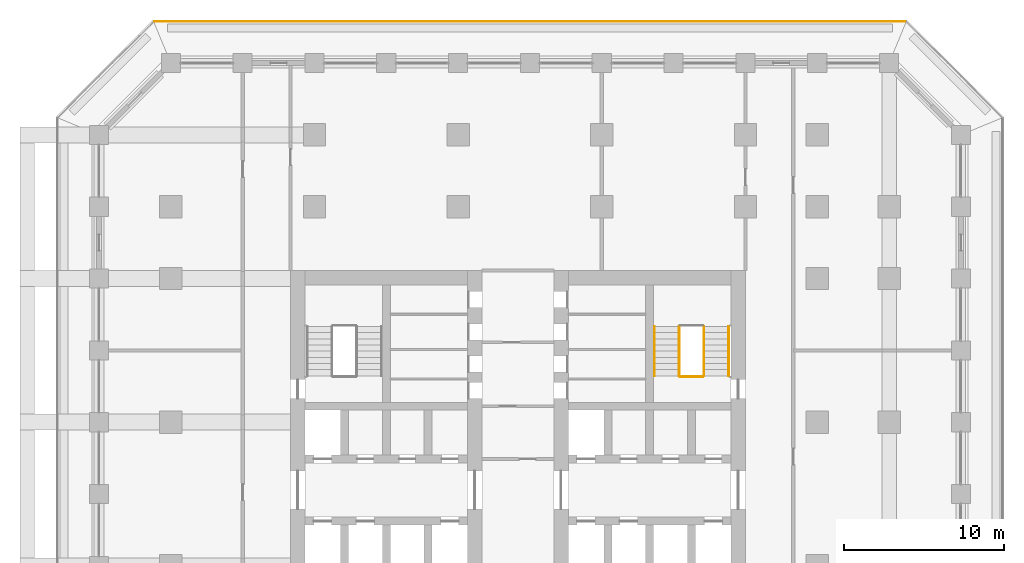
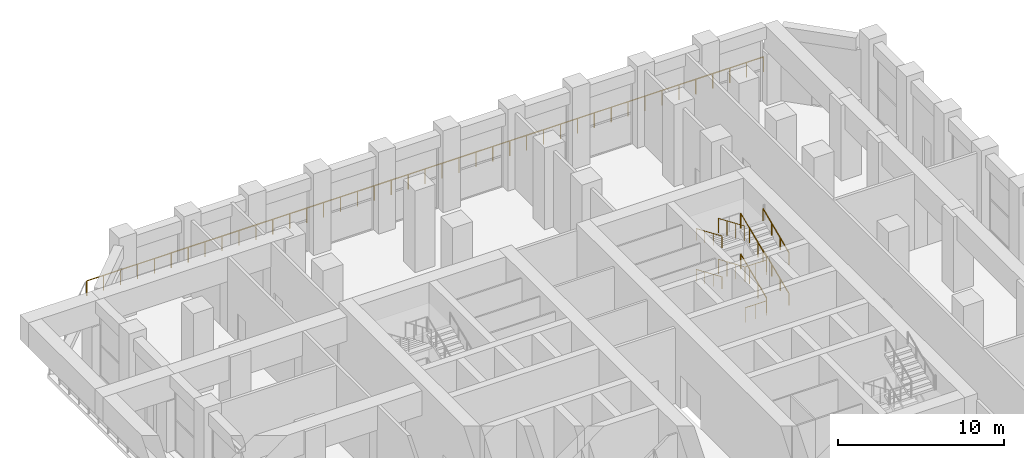
# One storey, part 22 of 24: 11 railings.
"""IFC4 building model written with IfcOpenShell, lengths in metres."""

import ifcopenshell
import ifcopenshell.guid

model = None  # the IFC model being written
_history = None  # IfcOwnerHistory: only IFC2X3 demands one
_inside = {}  # id of a spatial element -> (the spatial element, [elements in it])
_under = {}  # id of a project, library or spatial element -> (it, [spatial elements below it])
_declared = {}  # id of a project -> (the project, [libraries it declares])
_typed = {}  # id of a type object -> (the type object, [elements of that type])
_made_of = {}  # id of a material, layer set ... -> (it, [elements and type objects made of it])


def new_model(schema):
    """Start an empty IFC model of exactly this schema.

    Asked for "IFC4X3", IfcOpenShell would pick the latest addendum, in which some entities
    have other attributes; the version numbers below select the first issue.
    IFC2X3 requires an IfcOwnerHistory on every rooted entity: one is made here for all.
    """
    global model, _history
    if schema == "IFC4X3":
        model = ifcopenshell.file(schema_version=(4, 3, 0, 0))
    else:
        model = ifcopenshell.file(schema=schema)
    _inside.clear()
    _under.clear()
    _declared.clear()
    _typed.clear()
    _made_of.clear()
    _history = None
    if model.schema == "IFC2X3":
        org = make("IfcOrganization", Name="unknown")
        user = make(
            "IfcPersonAndOrganization",
            ThePerson=make("IfcPerson", FamilyName="unknown"),
            TheOrganization=org,
        )
        app = make(
            "IfcApplication",
            ApplicationDeveloper=org,
            Version="unknown",
            ApplicationFullName="unknown",
            ApplicationIdentifier="unknown",
        )
        _history = make(
            "IfcOwnerHistory",
            OwningUser=user,
            OwningApplication=app,
            ChangeAction="ADDED",
            CreationDate=0,
        )
    return model


def make(cls, **values):
    """One entity of the class cls with the attributes given. An attribute that is None is left unset."""
    return model.create_entity(
        cls, **{name: value for name, value in values.items() if value is not None}
    )


def rooted(cls, **values):
    """An entity with a GlobalId (a new one), such as an element, a storey or a relation."""
    return make(cls, GlobalId=ifcopenshell.guid.new(), OwnerHistory=_history, **values)


def si_unit(unit_type, name, prefix=None):
    """IfcSIUnit, for example si_unit("LENGTHUNIT", "METRE", prefix="MILLI")."""
    return make("IfcSIUnit", UnitType=unit_type, Prefix=prefix, Name=name)


def assignment(units):
    """IfcUnitAssignment: the units of a project."""
    return None if units is None else make("IfcUnitAssignment", Units=units)


def point(xyz):
    """IfcCartesianPoint."""
    return None if xyz is None else make("IfcCartesianPoint", Coordinates=xyz)


def direction(xyz):
    """IfcDirection."""
    return None if xyz is None else make("IfcDirection", DirectionRatios=xyz)


def frame(location, z_axis=None, x_axis=None):
    """IfcAxis2Placement3D, a coordinate frame: its origin and axes. An axis left out is left unset."""
    return make(
        "IfcAxis2Placement3D",
        Location=point(location),
        Axis=direction(z_axis),
        RefDirection=direction(x_axis),
    )


def frame_2d(location, x_axis=None):
    """IfcAxis2Placement2D, a coordinate frame in the plane: its origin and x axis."""
    return make(
        "IfcAxis2Placement2D", Location=point(location), RefDirection=direction(x_axis)
    )


def origin():
    """The frame at (0, 0, 0) with its axes left unset."""
    return frame((0.0, 0.0, 0.0))


def origin_2d():
    """The frame at (0, 0) in the plane with its x axis left unset."""
    return frame_2d((0.0, 0.0))


def place(relative_to, where):
    """IfcLocalPlacement: puts the frame where relative to a parent placement (None: the world)."""
    return make(
        "IfcLocalPlacement", PlacementRelTo=relative_to, RelativePlacement=where
    )


def context(
    kind, dimensions, precision=None, world=None, true_north=None, identifier=None
):
    """IfcGeometricRepresentationContext, for example the 3D "Model" context."""
    return make(
        "IfcGeometricRepresentationContext",
        ContextIdentifier=identifier,
        ContextType=kind,
        CoordinateSpaceDimension=dimensions,
        Precision=precision,
        WorldCoordinateSystem=world,
        TrueNorth=true_north,
    )


def subcontext(parent, identifier, kind, view, scale=None):
    """IfcGeometricRepresentationSubContext, for example "Body" below "Model"."""
    return make(
        "IfcGeometricRepresentationSubContext",
        ContextIdentifier=identifier,
        ContextType=kind,
        ParentContext=parent,
        TargetScale=scale,
        TargetView=view,
    )


def project(units=None, contexts=None):
    """IfcProject with its units and contexts."""
    return rooted(
        "IfcProject",
        Name="project",
        RepresentationContexts=contexts,
        UnitsInContext=assignment(units),
    )


def spatial(cls, under=None, at=None, **own):
    """A site, building, storey or space (cls), placed at a placement, below another one or the project."""
    s = rooted(cls, ObjectPlacement=at, **own)
    if under is not None:
        _under.setdefault(under.id(), (under, []))[1].append(s)
    return s


def profile(cls, at=None, kind="AREA", **sizes):
    """A parametric profile (cls). Its sizes go by their IFC names, for example OverallWidth=200.0."""
    return make(cls, ProfileType=kind, Position=at, **sizes)


def circle(**sizes):
    """IfcCircleProfileDef."""
    return profile("IfcCircleProfileDef", **sizes)


def extrude(swept, where, along, depth):
    """IfcExtrudedAreaSolid: the profile swept, set in the frame where, extruded along a direction by depth."""
    return make(
        "IfcExtrudedAreaSolid",
        SweptArea=swept,
        Position=where,
        ExtrudedDirection=direction(along),
        Depth=depth,
    )


def shape(context_of_items, identifier, shape_type, items):
    """IfcShapeRepresentation: the items that make up one representation, for example the "Body"."""
    return make(
        "IfcShapeRepresentation",
        ContextOfItems=context_of_items,
        RepresentationIdentifier=identifier,
        RepresentationType=shape_type,
        Items=items,
    )


def material(Name=None, Category=None):
    """IfcMaterial."""
    return make("IfcMaterial", Name=Name, Category=Category)


def made_of(thing, what):
    """Note that an element or type object is made of a material, layer set ...; save() writes the relation."""
    if what is not None:
        _made_of.setdefault(what.id(), (what, []))[1].append(thing)
    return thing


def type_object(cls, material=None, **own):
    """A type object (cls), such as IfcWallType, which elements share."""
    return made_of(rooted(cls, **own), material)


def element(
    cls,
    number,
    at=None,
    inside=None,
    cuts=None,
    type_object=None,
    material=None,
    context=None,
    identifier="Body",
    shape_type=None,
    held_by="IfcProductDefinitionShape",
    body=None,
    shapes=None,
    **own,
):
    """One element of the class cls, such as IfcWall. Its Tag is "e" and its number.

    at: its placement. inside: the storey or other place that contains it. cuts: it is an
    opening in that element (IfcRelVoidsElement). A single representation is given by context,
    identifier, shape_type and body (its items); several are given by shapes. held_by: the class
    of the entity that holds the representations. save() writes the other relations.
    """
    e = rooted(cls, Tag="e%d" % number, ObjectPlacement=at, **own)
    if body is not None:
        shapes = [shape(context, identifier, shape_type, body)]
    if shapes is not None:
        e.Representation = make(held_by, Representations=shapes)
    if inside is not None:
        _inside.setdefault(inside.id(), (inside, []))[1].append(e)
    if cuts is not None:
        rooted(
            "IfcRelVoidsElement", RelatingBuildingElement=cuts, RelatedOpeningElement=e
        )
    if type_object is not None:
        _typed.setdefault(type_object.id(), (type_object, []))[1].append(e)
    return made_of(e, material)


def aggregate(whole, parts):
    """IfcRelAggregates: a whole, such as a stair, and the parts it consists of."""
    return rooted("IfcRelAggregates", RelatingObject=whole, RelatedObjects=parts)


def save(model, path):
    """Write the relations noted so far, then the file.

    IfcRelAggregates (storeys below a building ...), IfcRelContainedInSpatialStructure (elements
    in a storey), IfcRelDefinesByType, IfcRelAssociatesMaterial and IfcRelDeclares: one each for
    every whole, place, type object, material and project.
    """
    for whole, parts in _under.values():
        aggregate(whole, parts)
    for where, things in _inside.values():
        rooted(
            "IfcRelContainedInSpatialStructure",
            RelatedElements=things,
            RelatingStructure=where,
        )
    for kind, things in _typed.values():
        rooted("IfcRelDefinesByType", RelatedObjects=things, RelatingType=kind)
    for what, things in _made_of.values():
        rooted("IfcRelAssociatesMaterial", RelatedObjects=things, RelatingMaterial=what)
    for by, libraries in _declared.values():
        rooted("IfcRelDeclares", RelatingContext=by, RelatedDefinitions=libraries)
    model.write(path)


model = new_model("IFC4")

# Units and contexts
model_context = context("Model", 3, precision=1e-05, world=origin(), true_north=direction((0.0, 1.0)))
body_context = subcontext(model_context, "Body", "Model", "MODEL_VIEW")
ifc_project = project(units=[si_unit("LENGTHUNIT", "METRE"), si_unit("AREAUNIT", "SQUARE_METRE"), si_unit("VOLUMEUNIT", "CUBIC_METRE"), si_unit("PLANEANGLEUNIT", "RADIAN"), si_unit("MASSUNIT", "GRAM", prefix="KILO")], contexts=[model_context])

# Site, building, storey
site_placement = place(None, origin())
site = spatial("IfcSite", under=ifc_project, at=site_placement, CompositionType="ELEMENT")
building_placement = place(site_placement, origin())
building = spatial("IfcBuilding", under=site, at=building_placement, Name="Corbel Stack Research Tower", CompositionType="ELEMENT")
storey_placement = place(building_placement, frame((0.0, 0.0, 110.699951171875)))
storey = spatial("IfcBuildingStorey", under=building, at=storey_placement, Name="L25", CompositionType="ELEMENT", Elevation=110.699951171875)

# Railings
ifc_material_1 = material(Name="Steel S355", Category="steel")
railing_type_1 = type_object("IfcRailingType", Name="Stair guard 1100", PredefinedType="GUARDRAIL", material=ifc_material_1)
railing_1_placement = place(storey_placement, frame((15.39990234375, 11.89990234375, 0.166748046875)))
element("IfcRailing", 1, at=railing_1_placement, inside=storey, type_object=railing_type_1, Name="L25 ST-E2 stair guard 1", PredefinedType="GUARDRAIL", context=body_context, shape_type="SweptSolid", body=[
    extrude(circle(Radius=0.02392578125, at=origin_2d()), frame((0.0, 0.0, 1.076171875), z_axis=(0.0, 0.918826996994, 0.394660549834), x_axis=(-1.0, 0.0, 0.0)), (0.0, 0.0, 1.0), 3.378173828125),
    extrude(circle(Radius=0.02099609375, at=origin_2d()), origin(), (0.0, 0.0, 1.0), 1.052001953125),
    extrude(circle(Radius=0.02099609375, at=origin_2d()), frame((0.0, 1.03466796875, 0.4443359375)), (0.0, 0.0, 1.0), 1.052001953125),
    extrude(circle(Radius=0.02099609375, at=origin_2d()), frame((0.0, 2.0693359375, 0.888916015625)), (0.0, 0.0, 1.0), 1.052001953125),
    extrude(circle(Radius=0.02099609375, at=origin_2d()), frame((0.0, 3.10400390625, 1.333251953125)), (0.0, 0.0, 1.0), 1.052001953125),
])
railing_2_placement = place(storey_placement, frame((13.85009765625, 15.00390625, 1.666748046875)))
element("IfcRailing", 2, at=railing_2_placement, inside=storey, type_object=railing_type_1, Name="L25 ST-E2 stair guard 4", PredefinedType="GUARDRAIL", context=body_context, shape_type="SweptSolid", body=[
    extrude(circle(Radius=0.02392578125, at=origin_2d()), frame((0.0, 0.0, 1.076171875), z_axis=(0.0, -0.918826996994, 0.394660549834), x_axis=(1.0, 0.0, 0.0)), (0.0, 0.0, 1.0), 3.378173828125),
    extrude(circle(Radius=0.02099609375, at=origin_2d()), origin(), (0.0, 0.0, 1.0), 1.052001953125),
    extrude(circle(Radius=0.02099609375, at=origin_2d()), frame((0.0, -1.03466796875, 0.4443359375)), (0.0, 0.0, 1.0), 1.052001953125),
    extrude(circle(Radius=0.02099609375, at=origin_2d()), frame((0.0, -2.0693359375, 0.888916015625)), (0.0, 0.0, 1.0), 1.052001953125),
    extrude(circle(Radius=0.02099609375, at=origin_2d()), frame((0.0, -3.10400390625, 1.333251953125)), (0.0, 0.0, 1.0), 1.052001953125),
])
railing_3_placement = place(storey_placement, frame((15.35009765625, 11.85009765625, 3.0)))
element("IfcRailing", 3, at=railing_3_placement, inside=storey, type_object=railing_type_1, Name="L25 ST-E2 stair guard 5", PredefinedType="GUARDRAIL", context=body_context, shape_type="SweptSolid", body=[
    extrude(circle(Radius=0.02392578125, at=origin_2d()), frame((0.0, 0.0, 1.076171875), z_axis=(-1.0, 0.0, 0.0), x_axis=(0.0, -1.0, 0.0)), (0.0, 0.0, 1.0), 1.4501953125),
    extrude(circle(Radius=0.02099609375, at=origin_2d()), origin(), (0.0, 0.0, 1.0), 1.052001953125),
    extrude(circle(Radius=0.02099609375, at=origin_2d()), frame((-0.72509765625, 0.0, 0.0)), (0.0, 0.0, 1.0), 1.052001953125),
    extrude(circle(Radius=0.02099609375, at=origin_2d()), frame((-1.4501953125, 0.0, 0.0)), (0.0, 0.0, 1.0), 1.052001953125),
])
railing_4_placement = place(storey_placement, frame((15.39990234375, 11.89990234375, 3.166748046875)))
element("IfcRailing", 4, at=railing_4_placement, inside=storey, type_object=railing_type_1, Name="L25 ST-E2 stair guard 7", PredefinedType="GUARDRAIL", context=body_context, shape_type="SweptSolid", body=[
    extrude(circle(Radius=0.02392578125, at=origin_2d()), frame((0.0, 0.0, 1.076171875), z_axis=(0.0, 0.918826996994, 0.394660549834), x_axis=(-1.0, 0.0, 0.0)), (0.0, 0.0, 1.0), 3.378173828125),
    extrude(circle(Radius=0.02099609375, at=origin_2d()), origin(), (0.0, 0.0, 1.0), 1.052001953125),
    extrude(circle(Radius=0.02099609375, at=origin_2d()), frame((0.0, 1.03466796875, 0.4443359375)), (0.0, 0.0, 1.0), 1.052001953125),
    extrude(circle(Radius=0.02099609375, at=origin_2d()), frame((0.0, 2.0693359375, 0.888916015625)), (0.0, 0.0, 1.0), 1.052001953125),
    extrude(circle(Radius=0.02099609375, at=origin_2d()), frame((0.0, 3.10400390625, 1.333251953125)), (0.0, 0.0, 1.0), 1.052001953125),
])
railing_5_placement = place(storey_placement, frame((13.85009765625, 15.00390625, 4.666748046875)))
element("IfcRailing", 5, at=railing_5_placement, inside=storey, type_object=railing_type_1, Name="L25 ST-E2 stair guard 10", PredefinedType="GUARDRAIL", context=body_context, shape_type="SweptSolid", body=[
    extrude(circle(Radius=0.02392578125, at=origin_2d()), frame((0.0, 0.0, 1.076171875), z_axis=(0.0, -0.918826996994, 0.394660549834), x_axis=(1.0, 0.0, 0.0)), (0.0, 0.0, 1.0), 3.378173828125),
    extrude(circle(Radius=0.02099609375, at=origin_2d()), origin(), (0.0, 0.0, 1.0), 1.052001953125),
    extrude(circle(Radius=0.02099609375, at=origin_2d()), frame((0.0, -1.03466796875, 0.4443359375)), (0.0, 0.0, 1.0), 1.052001953125),
    extrude(circle(Radius=0.02099609375, at=origin_2d()), frame((0.0, -2.0693359375, 0.888916015625)), (0.0, 0.0, 1.0), 1.052001953125),
    extrude(circle(Radius=0.02099609375, at=origin_2d()), frame((0.0, -3.10400390625, 1.333251953125)), (0.0, 0.0, 1.0), 1.052001953125),
])
railing_6_placement = place(storey_placement, frame((15.35009765625, 11.85009765625, 0.0)))
element("IfcRailing", 6, at=railing_6_placement, inside=storey, type_object=railing_type_1, Name="L25 ST-E2 stair guard 11", PredefinedType="GUARDRAIL", context=body_context, shape_type="SweptSolid", body=[
    extrude(circle(Radius=0.02392578125, at=origin_2d()), frame((0.0, 0.0, 1.076171875), z_axis=(-1.0, 0.0, 0.0), x_axis=(0.0, -1.0, 0.0)), (0.0, 0.0, 1.0), 1.4501953125),
    extrude(circle(Radius=0.02099609375, at=origin_2d()), origin(), (0.0, 0.0, 1.0), 1.052001953125),
    extrude(circle(Radius=0.02099609375, at=origin_2d()), frame((-0.72509765625, 0.0, 0.0)), (0.0, 0.0, 1.0), 1.052001953125),
    extrude(circle(Radius=0.02099609375, at=origin_2d()), frame((-1.4501953125, 0.0, 0.0)), (0.0, 0.0, 1.0), 1.052001953125),
])
ifc_material_2 = material(Name="Steel S355", Category="steel")
railing_type_2 = type_object("IfcRailingType", Name="Stair handrail 900", PredefinedType="HANDRAIL", material=ifc_material_2)
railing_7_placement = place(storey_placement, frame((16.949951171875, 11.89990234375, 0.166748046875)))
element("IfcRailing", 7, at=railing_7_placement, inside=storey, type_object=railing_type_2, Name="L25 ST-E2 stair handrail 1", PredefinedType="HANDRAIL", context=body_context, shape_type="SweptSolid", body=[
    extrude(circle(Radius=0.02392578125, at=origin_2d()), frame((0.0, 0.0, 0.8759765625), z_axis=(0.0, 0.918826996994, 0.394660549834), x_axis=(-1.0, 0.0, 0.0)), (0.0, 0.0, 1.0), 3.378173828125),
    extrude(circle(Radius=0.02099609375, at=origin_2d()), origin(), (0.0, 0.0, 1.0), 0.851806640625),
    extrude(circle(Radius=0.02099609375, at=origin_2d()), frame((0.0, 1.03466796875, 0.4443359375)), (0.0, 0.0, 1.0), 0.851806640625),
    extrude(circle(Radius=0.02099609375, at=origin_2d()), frame((0.0, 2.0693359375, 0.888916015625)), (0.0, 0.0, 1.0), 0.851806640625),
    extrude(circle(Radius=0.02099609375, at=origin_2d()), frame((0.0, 3.10400390625, 1.333251953125)), (0.0, 0.0, 1.0), 0.851806640625),
])
railing_8_placement = place(storey_placement, frame((12.300048828125, 15.00390625, 1.666748046875)))
element("IfcRailing", 8, at=railing_8_placement, inside=storey, type_object=railing_type_2, Name="L25 ST-E2 stair handrail 2", PredefinedType="HANDRAIL", context=body_context, shape_type="SweptSolid", body=[
    extrude(circle(Radius=0.02392578125, at=origin_2d()), frame((0.0, 0.0, 0.8759765625), z_axis=(0.0, -0.918826996994, 0.394660549834), x_axis=(1.0, 0.0, 0.0)), (0.0, 0.0, 1.0), 3.378173828125),
    extrude(circle(Radius=0.02099609375, at=origin_2d()), origin(), (0.0, 0.0, 1.0), 0.851806640625),
    extrude(circle(Radius=0.02099609375, at=origin_2d()), frame((0.0, -1.03466796875, 0.4443359375)), (0.0, 0.0, 1.0), 0.851806640625),
    extrude(circle(Radius=0.02099609375, at=origin_2d()), frame((0.0, -2.0693359375, 0.888916015625)), (0.0, 0.0, 1.0), 0.851806640625),
    extrude(circle(Radius=0.02099609375, at=origin_2d()), frame((0.0, -3.10400390625, 1.333251953125)), (0.0, 0.0, 1.0), 0.851806640625),
])
railing_9_placement = place(storey_placement, frame((16.949951171875, 11.89990234375, 3.166748046875)))
element("IfcRailing", 9, at=railing_9_placement, inside=storey, type_object=railing_type_2, Name="L25 ST-E2 stair handrail 3", PredefinedType="HANDRAIL", context=body_context, shape_type="SweptSolid", body=[
    extrude(circle(Radius=0.02392578125, at=origin_2d()), frame((0.0, 0.0, 0.8759765625), z_axis=(0.0, 0.918826996994, 0.394660549834), x_axis=(-1.0, 0.0, 0.0)), (0.0, 0.0, 1.0), 3.378173828125),
    extrude(circle(Radius=0.02099609375, at=origin_2d()), origin(), (0.0, 0.0, 1.0), 0.851806640625),
    extrude(circle(Radius=0.02099609375, at=origin_2d()), frame((0.0, 1.03466796875, 0.4443359375)), (0.0, 0.0, 1.0), 0.851806640625),
    extrude(circle(Radius=0.02099609375, at=origin_2d()), frame((0.0, 2.0693359375, 0.888916015625)), (0.0, 0.0, 1.0), 0.851806640625),
    extrude(circle(Radius=0.02099609375, at=origin_2d()), frame((0.0, 3.10400390625, 1.333251953125)), (0.0, 0.0, 1.0), 0.851806640625),
])
railing_10_placement = place(storey_placement, frame((12.300048828125, 15.00390625, 4.666748046875)))
element("IfcRailing", 10, at=railing_10_placement, inside=storey, type_object=railing_type_2, Name="L25 ST-E2 stair handrail 4", PredefinedType="HANDRAIL", context=body_context, shape_type="SweptSolid", body=[
    extrude(circle(Radius=0.02392578125, at=origin_2d()), frame((0.0, 0.0, 0.8759765625), z_axis=(0.0, -0.918826996994, 0.394660549834), x_axis=(1.0, 0.0, 0.0)), (0.0, 0.0, 1.0), 3.378173828125),
    extrude(circle(Radius=0.02099609375, at=origin_2d()), origin(), (0.0, 0.0, 1.0), 0.851806640625),
    extrude(circle(Radius=0.02099609375, at=origin_2d()), frame((0.0, -1.03466796875, 0.4443359375)), (0.0, 0.0, 1.0), 0.851806640625),
    extrude(circle(Radius=0.02099609375, at=origin_2d()), frame((0.0, -2.0693359375, 0.888916015625)), (0.0, 0.0, 1.0), 0.851806640625),
    extrude(circle(Radius=0.02099609375, at=origin_2d()), frame((0.0, -3.10400390625, 1.333251953125)), (0.0, 0.0, 1.0), 0.851806640625),
])
ifc_material_3 = material(Name="Powder-coated steel guard", Category="steel")
railing_type_3 = type_object("IfcRailingType", Name="Steel and glass guard 1100", PredefinedType="GUARDRAIL", material=ifc_material_3)
railing_11_placement = place(storey_placement, frame((28.00537109375, 34.10009765625, 0.0)))
element("IfcRailing", 11, at=railing_11_placement, inside=storey, type_object=railing_type_3, Name="Loggia guard L25 N", PredefinedType="GUARDRAIL", context=body_context, shape_type="SweptSolid", body=[
    extrude(circle(Radius=0.02392578125, at=origin_2d()), frame((0.0, 0.0, 1.076171875), z_axis=(-1.0, 0.0, 0.0), x_axis=(0.0, -1.0, 0.0)), (0.0, 0.0, 1.0), 47.0107421875),
    extrude(circle(Radius=0.02099609375, at=origin_2d()), origin(), (0.0, 0.0, 1.0), 1.052001953125),
    extrude(circle(Radius=0.02099609375, at=origin_2d()), frame((-1.17529296875, 0.0, 0.0)), (0.0, 0.0, 1.0), 1.052001953125),
    extrude(circle(Radius=0.02099609375, at=origin_2d()), frame((-2.3505859375, 0.0, 0.0)), (0.0, 0.0, 1.0), 1.052001953125),
    extrude(circle(Radius=0.02099609375, at=origin_2d()), frame((-3.52587890625, 0.0, 0.0)), (0.0, 0.0, 1.0), 1.052001953125),
    extrude(circle(Radius=0.02099609375, at=origin_2d()), frame((-4.701171875, 0.0, 0.0)), (0.0, 0.0, 1.0), 1.052001953125),
    extrude(circle(Radius=0.02099609375, at=origin_2d()), frame((-5.87646484375, 0.0, 0.0)), (0.0, 0.0, 1.0), 1.052001953125),
    extrude(circle(Radius=0.02099609375, at=origin_2d()), frame((-7.051513671875, 0.0, 0.0)), (0.0, 0.0, 1.0), 1.052001953125),
    extrude(circle(Radius=0.02099609375, at=origin_2d()), frame((-8.226806640625, 0.0, 0.0)), (0.0, 0.0, 1.0), 1.052001953125),
    extrude(circle(Radius=0.02099609375, at=origin_2d()), frame((-9.402099609375, 0.0, 0.0)), (0.0, 0.0, 1.0), 1.052001953125),
    extrude(circle(Radius=0.02099609375, at=origin_2d()), frame((-10.577392578125, 0.0, 0.0)), (0.0, 0.0, 1.0), 1.052001953125),
    extrude(circle(Radius=0.02099609375, at=origin_2d()), frame((-11.752685546875, 0.0, 0.0)), (0.0, 0.0, 1.0), 1.052001953125),
    extrude(circle(Radius=0.02099609375, at=origin_2d()), frame((-12.927978515625, 0.0, 0.0)), (0.0, 0.0, 1.0), 1.052001953125),
    extrude(circle(Radius=0.02099609375, at=origin_2d()), frame((-14.103271484375, 0.0, 0.0)), (0.0, 0.0, 1.0), 1.052001953125),
    extrude(circle(Radius=0.02099609375, at=origin_2d()), frame((-15.278564453125, 0.0, 0.0)), (0.0, 0.0, 1.0), 1.052001953125),
    extrude(circle(Radius=0.02099609375, at=origin_2d()), frame((-16.453857421875, 0.0, 0.0)), (0.0, 0.0, 1.0), 1.052001953125),
    extrude(circle(Radius=0.02099609375, at=origin_2d()), frame((-17.62890625, 0.0, 0.0)), (0.0, 0.0, 1.0), 1.052001953125),
    extrude(circle(Radius=0.02099609375, at=origin_2d()), frame((-18.80419921875, 0.0, 0.0)), (0.0, 0.0, 1.0), 1.052001953125),
    extrude(circle(Radius=0.02099609375, at=origin_2d()), frame((-19.9794921875, 0.0, 0.0)), (0.0, 0.0, 1.0), 1.052001953125),
    extrude(circle(Radius=0.02099609375, at=origin_2d()), frame((-21.15478515625, 0.0, 0.0)), (0.0, 0.0, 1.0), 1.052001953125),
    extrude(circle(Radius=0.02099609375, at=origin_2d()), frame((-22.330078125, 0.0, 0.0)), (0.0, 0.0, 1.0), 1.052001953125),
    extrude(circle(Radius=0.02099609375, at=origin_2d()), frame((-23.50537109375, 0.0, 0.0)), (0.0, 0.0, 1.0), 1.052001953125),
    extrude(circle(Radius=0.02099609375, at=origin_2d()), frame((-24.6806640625, 0.0, 0.0)), (0.0, 0.0, 1.0), 1.052001953125),
    extrude(circle(Radius=0.02099609375, at=origin_2d()), frame((-25.85595703125, 0.0, 0.0)), (0.0, 0.0, 1.0), 1.052001953125),
    extrude(circle(Radius=0.02099609375, at=origin_2d()), frame((-27.03125, 0.0, 0.0)), (0.0, 0.0, 1.0), 1.052001953125),
    extrude(circle(Radius=0.02099609375, at=origin_2d()), frame((-28.20654296875, 0.0, 0.0)), (0.0, 0.0, 1.0), 1.052001953125),
    extrude(circle(Radius=0.02099609375, at=origin_2d()), frame((-29.3818359375, 0.0, 0.0)), (0.0, 0.0, 1.0), 1.052001953125),
    extrude(circle(Radius=0.02099609375, at=origin_2d()), frame((-30.556884765625, 0.0, 0.0)), (0.0, 0.0, 1.0), 1.052001953125),
    extrude(circle(Radius=0.02099609375, at=origin_2d()), frame((-31.732177734375, 0.0, 0.0)), (0.0, 0.0, 1.0), 1.052001953125),
    extrude(circle(Radius=0.02099609375, at=origin_2d()), frame((-32.907470703125, 0.0, 0.0)), (0.0, 0.0, 1.0), 1.052001953125),
    extrude(circle(Radius=0.02099609375, at=origin_2d()), frame((-34.082763671875, 0.0, 0.0)), (0.0, 0.0, 1.0), 1.052001953125),
    extrude(circle(Radius=0.02099609375, at=origin_2d()), frame((-35.258056640625, 0.0, 0.0)), (0.0, 0.0, 1.0), 1.052001953125),
    extrude(circle(Radius=0.02099609375, at=origin_2d()), frame((-36.433349609375, 0.0, 0.0)), (0.0, 0.0, 1.0), 1.052001953125),
    extrude(circle(Radius=0.02099609375, at=origin_2d()), frame((-37.608642578125, 0.0, 0.0)), (0.0, 0.0, 1.0), 1.052001953125),
    extrude(circle(Radius=0.02099609375, at=origin_2d()), frame((-38.783935546875, 0.0, 0.0)), (0.0, 0.0, 1.0), 1.052001953125),
    extrude(circle(Radius=0.02099609375, at=origin_2d()), frame((-39.959228515625, 0.0, 0.0)), (0.0, 0.0, 1.0), 1.052001953125),
    extrude(circle(Radius=0.02099609375, at=origin_2d()), frame((-41.13427734375, 0.0, 0.0)), (0.0, 0.0, 1.0), 1.052001953125),
    extrude(circle(Radius=0.02099609375, at=origin_2d()), frame((-42.3095703125, 0.0, 0.0)), (0.0, 0.0, 1.0), 1.052001953125),
    extrude(circle(Radius=0.02099609375, at=origin_2d()), frame((-43.48486328125, 0.0, 0.0)), (0.0, 0.0, 1.0), 1.052001953125),
    extrude(circle(Radius=0.02099609375, at=origin_2d()), frame((-44.66015625, 0.0, 0.0)), (0.0, 0.0, 1.0), 1.052001953125),
    extrude(circle(Radius=0.02099609375, at=origin_2d()), frame((-45.83544921875, 0.0, 0.0)), (0.0, 0.0, 1.0), 1.052001953125),
    extrude(circle(Radius=0.02099609375, at=origin_2d()), frame((-47.0107421875, 0.0, 0.0)), (0.0, 0.0, 1.0), 1.052001953125),
])

save(model, "model.ifc")
